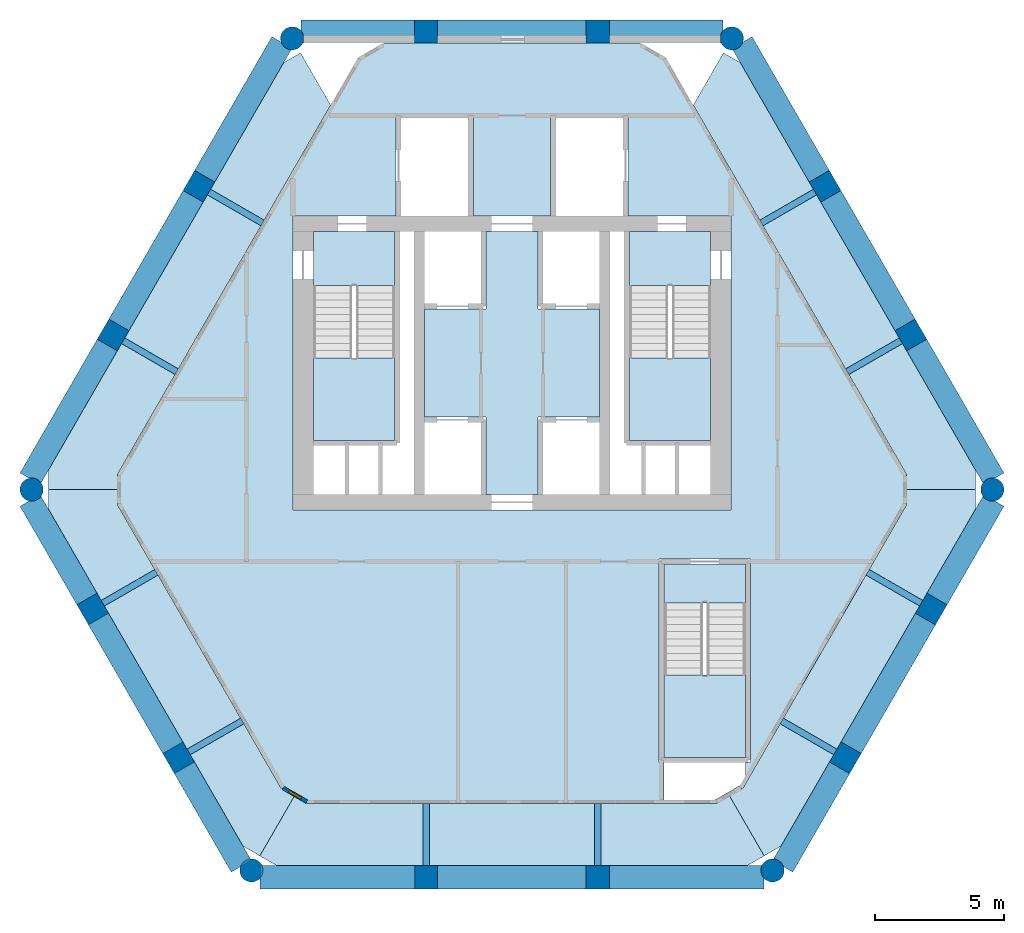
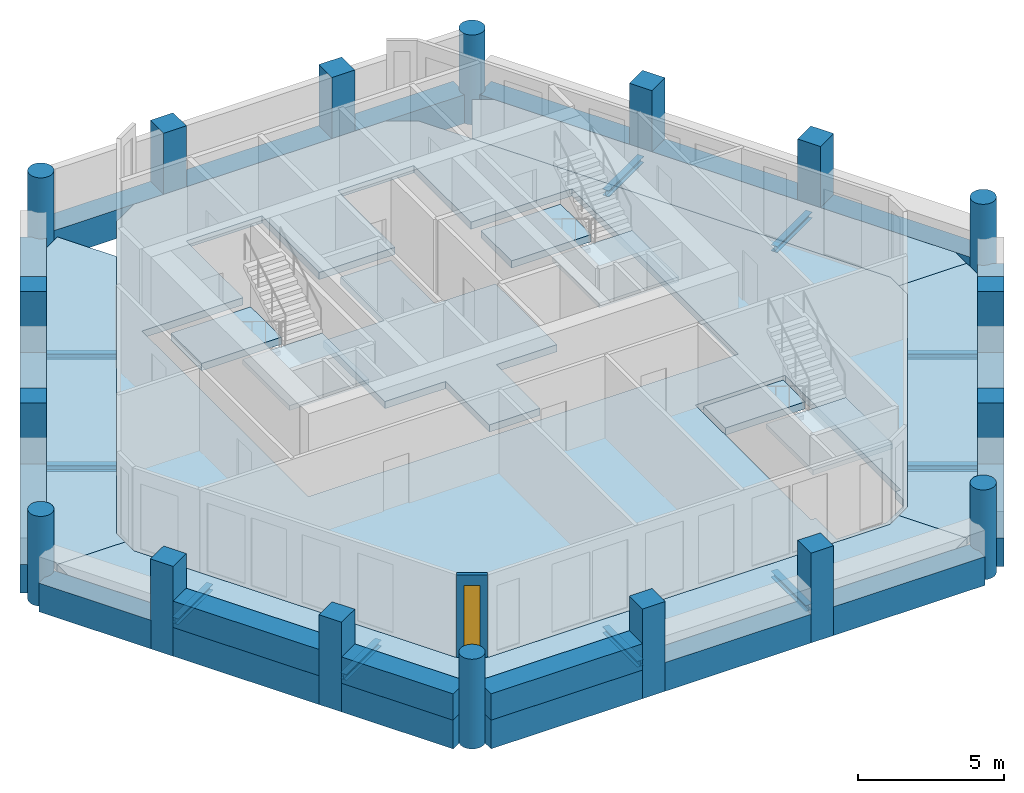
# One storey, part 1 of 6: 28 beams, 18 columns, 13 slabs, 4 walls, 1 window, 1 opening, 3 elements without a shape of their own.
"""IFC4 building model written with IfcOpenShell, lengths in metres."""

from ifc_helpers import new_model, si_unit, direction, frame, frame_2d, origin, origin_2d, place, context, subcontext, project, spatial, polyline, rectangle, circle, i_section, outline, extrude, material, layer, layer_set, material_profile, profile_set, type_object, element, fill, aggregate, save


model = new_model("IFC4")

# Units and contexts
model_context = context("Model", 3, precision=1e-05, world=origin(), true_north=direction((0.0, 1.0)))
body_context = subcontext(model_context, "Body", "Model", "MODEL_VIEW")
ifc_project = project(units=[si_unit("LENGTHUNIT", "METRE"), si_unit("AREAUNIT", "SQUARE_METRE"), si_unit("VOLUMEUNIT", "CUBIC_METRE"), si_unit("PLANEANGLEUNIT", "RADIAN"), si_unit("MASSUNIT", "GRAM", prefix="KILO")], contexts=[model_context])

# Site, building, storey
site_placement = place(None, origin())
site = spatial("IfcSite", under=ifc_project, at=site_placement, CompositionType="ELEMENT")
building_placement = place(site_placement, origin())
building = spatial("IfcBuilding", under=site, at=building_placement, Name="Ostrander Bayou Hotel Tower", CompositionType="ELEMENT")
storey_placement = place(building_placement, frame((0.0, 0.0, 260.0)))
storey = spatial("IfcBuildingStorey", under=building, at=storey_placement, Name="L64", CompositionType="ELEMENT", Elevation=260.0)

# Columns
ifc_material_1 = material(Name="Concrete f'c 60 MPa", Category="concrete")
ifc_material_profile_1 = material_profile(ifc_material_1, circle(Radius=0.449951171875, at=origin_2d()))
ifc_profile_set_1 = profile_set([ifc_material_profile_1], Name="Concrete f'c 60 MPa")
column_type_1 = type_object("IfcColumnType", Name="C7 round column 900 mm f'c 60 MPa", PredefinedType="COLUMN", material=ifc_profile_set_1)
for number, where, z_axis, x_axis, name in (
    (1, (-8.525634765625, 16.588623046875, -1.199951171875), (0.0, 0.0, 1.0), (1.0, 0.0, 0.0), "C7 L64 K0"),
    (2, (-18.629150390625, -0.910888671875, -1.199951171875), (0.0, 0.0, 1.0), (1.0, 0.0, 0.0), "C7 L64 K1"),
    (3, (-10.103515625, -15.677734375, -1.199951171875), (0.0, 0.0, 1.0), (1.0, 0.0, 0.0), "C7 L64 K2"),
    (4, (10.103515625, -15.677734375, -1.199951171875), (0.0, 0.0, 1.0), (1.0, 0.0, 0.0), "C7 L64 K3"),
    (5, (18.629150390625, -0.910888671875, -1.199951171875), (0.0, 0.0, 1.0), (1.0, 0.0, 0.0), "C7 L64 K4"),
    (6, (8.525634765625, 16.588623046875, -1.199951171875), (0.0, 0.0, 1.0), (1.0, 0.0, 0.0), "C7 L64 K5"),
):
    element("IfcColumn", number, at=place(storey_placement, frame(where, z_axis=z_axis, x_axis=x_axis)), inside=storey, type_object=column_type_1, Name=name, PredefinedType="COLUMN", context=body_context, shape_type="SweptSolid", body=[
        extrude(circle(Radius=0.449951171875, at=origin_2d()), origin(), (0.0, 0.0, 1.0), 3.75),
    ])
ifc_material_2 = material(Name="Concrete f'c 60 MPa", Category="concrete")
ifc_material_profile_2 = material_profile(ifc_material_2, rectangle(XDim=0.89990234375, YDim=0.89990234375, at=origin_2d()))
ifc_profile_set_2 = profile_set([ifc_material_profile_2], Name="Concrete f'c 60 MPa")
column_type_2 = type_object("IfcColumnType", Name="C8 square column 900 x 900 mm f'c 60 MPa", PredefinedType="COLUMN", material=ifc_profile_set_2)
for number, where, z_axis, x_axis, name in (
    (7, (3.329345703125, 16.85009765625, -1.199951171875), (0.0, 0.0, 1.0), (1.0, 0.0, 0.0), "C8 L64 N1"),
    (8, (-3.329345703125, 16.85009765625, -1.199951171875), (0.0, 0.0, 1.0), (1.0, 0.0, 0.0), "C8 L64 N2"),
    (9, (-12.138916015625, 10.852783203125, -1.199951171875), (0.0, 0.0, 1.0), (0.5, 0.866025403784, 0.0), "C8 L64 NW1"),
    (10, (-15.46826171875, 5.086181640625, -1.199951171875), (0.0, 0.0, 1.0), (0.5, 0.866025403784, 0.0), "C8 L64 NW2"),
    (11, (-16.257080078125, -5.541748046875, -1.199951171875), (0.0, 0.0, 1.0), (-0.5, 0.866025403784, 0.0), "C8 L64 SW1"),
    (12, (-12.927734375, -11.308349609375, -1.199951171875), (0.0, 0.0, 1.0), (-0.5, 0.866025403784, 0.0), "C8 L64 SW2"),
    (13, (-3.329345703125, -15.93896484375, -1.199951171875), (0.0, 0.0, 1.0), (-1.0, 0.0, 0.0), "C8 L64 S1"),
    (14, (3.329345703125, -15.93896484375, -1.199951171875), (0.0, 0.0, 1.0), (-1.0, 0.0, 0.0), "C8 L64 S2"),
    (15, (12.927734375, -11.308349609375, -1.199951171875), (0.0, 0.0, 1.0), (-0.5, -0.866025403784, 0.0), "C8 L64 SE1"),
    (16, (16.257080078125, -5.541748046875, -1.199951171875), (0.0, 0.0, 1.0), (-0.5, -0.866025403784, 0.0), "C8 L64 SE2"),
    (17, (15.46826171875, 5.086181640625, -1.199951171875), (0.0, 0.0, 1.0), (0.5, -0.866025403784, 0.0), "C8 L64 NE1"),
    (18, (12.138916015625, 10.852783203125, -1.199951171875), (0.0, 0.0, 1.0), (0.5, -0.866025403784, 0.0), "C8 L64 NE2"),
):
    element("IfcColumn", number, at=place(storey_placement, frame(where, z_axis=z_axis, x_axis=x_axis)), inside=storey, type_object=column_type_2, Name=name, PredefinedType="COLUMN", context=body_context, shape_type="SweptSolid", body=[
        extrude(rectangle(XDim=0.89990234375, YDim=0.89990234375, at=origin_2d()), origin(), (0.0, 0.0, 1.0), 3.75),
    ])

# Beams
ifc_material_3 = material(Name="Steel ASTM A992", Category="steel")
ifc_material_profile_3 = material_profile(ifc_material_3, i_section(OverallWidth=0.25390625, OverallDepth=0.25341796875, WebThickness=0.008544921875, FlangeThickness=0.01416015625, at=origin_2d()))
ifc_profile_set_3 = profile_set([ifc_material_profile_3], Name="Steel ASTM A992")
beam_type_1 = type_object("IfcBeamType", Name="LB2 loggia bracket W10x49", PredefinedType="BEAM", material=ifc_profile_set_3)
for number, where, z_axis, x_axis, name in (
    (19, (-11.749267578125, 10.627685546875, -0.4267578125), (0.866050077142, -0.499957262057, 0.0), (0.499957262057, 0.866050077142, 0.0), "LB2 L64 NW1"),
    (20, (-15.07861328125, 4.861083984375, -0.4267578125), (0.866050077142, -0.499957262057, 0.0), (0.499957262057, 0.866050077142, 0.0), "LB2 L64 NW2"),
):
    element("IfcBeam", number, at=place(storey_placement, frame(where, z_axis=z_axis, x_axis=x_axis)), inside=storey, type_object=beam_type_1, Name=name, PredefinedType="BEAM", context=body_context, shape_type="SweptSolid", body=[
        extrude(i_section(OverallWidth=0.25390625, OverallDepth=0.25341796875, WebThickness=0.008544921875, FlangeThickness=0.01416015625, at=origin_2d()), origin(), (0.0, 0.0, 1.0), 2.400146484375),
    ])
for number, where, z_axis, x_axis, name in (
    (21, (-15.867431640625, -5.316650390625, -0.4267578125), (0.866024647952, 0.500001309137, 0.0), (-0.500001309137, 0.866024647952, 0.0), "LB2 L64 SW1"),
    (22, (-12.5380859375, -11.083251953125, -0.4267578125), (0.866024647952, 0.500001309137, 0.0), (-0.500001309137, 0.866024647952, 0.0), "LB2 L64 SW2"),
    (23, (-3.329345703125, -15.489013671875, -0.4267578125), (0.0, 1.0, 0.0), (-1.0, 0.0, 0.0), "LB2 L64 S1"),
    (24, (3.329345703125, -15.489013671875, -0.4267578125), (0.0, 1.0, 0.0), (-1.0, 0.0, 0.0), "LB2 L64 S2"),
    (25, (12.5380859375, -11.083251953125, -0.4267578125), (-0.866024647952, 0.500001309137, 0.0), (-0.500001309137, -0.866024647952, 0.0), "LB2 L64 SE1"),
    (26, (15.867431640625, -5.316650390625, -0.4267578125), (-0.866024647952, 0.500001309137, 0.0), (-0.500001309137, -0.866024647952, 0.0), "LB2 L64 SE2"),
):
    element("IfcBeam", number, at=place(storey_placement, frame(where, z_axis=z_axis, x_axis=x_axis)), inside=storey, type_object=beam_type_1, Name=name, PredefinedType="BEAM", context=body_context, shape_type="SweptSolid", body=[
        extrude(i_section(OverallWidth=0.25390625, OverallDepth=0.25341796875, WebThickness=0.008544921875, FlangeThickness=0.01416015625, at=origin_2d()), origin(), (0.0, 0.0, 1.0), 2.39990234375),
    ])
for number, where, z_axis, x_axis, name in (
    (27, (15.07861328125, 4.861083984375, -0.4267578125), (-0.866050077142, -0.499957262057, 0.0), (0.499957262057, -0.866050077142, 0.0), "LB2 L64 NE1"),
    (28, (11.749267578125, 10.627685546875, -0.4267578125), (-0.866050077142, -0.499957262057, 0.0), (0.499957262057, -0.866050077142, 0.0), "LB2 L64 NE2"),
):
    element("IfcBeam", number, at=place(storey_placement, frame(where, z_axis=z_axis, x_axis=x_axis)), inside=storey, type_object=beam_type_1, Name=name, PredefinedType="BEAM", context=body_context, shape_type="SweptSolid", body=[
        extrude(i_section(OverallWidth=0.25390625, OverallDepth=0.25341796875, WebThickness=0.008544921875, FlangeThickness=0.01416015625, at=origin_2d()), origin(), (0.0, 0.0, 1.0), 2.400146484375),
    ])
ifc_material_4 = material(Name="Concrete f'c 60 MPa", Category="concrete")
ifc_material_profile_4 = material_profile(ifc_material_4, rectangle(XDim=0.89990234375, YDim=1.199951171875, at=origin_2d()))
ifc_profile_set_4 = profile_set([ifc_material_profile_4], Name="Concrete f'c 60 MPa")
beam_type_2 = type_object("IfcBeamType", Name="SP4 spandrel beam 900 x 1200 mm f'c 60 MPa", PredefinedType="SPANDREL", material=ifc_profile_set_4)
beam_1_placement = place(storey_placement, frame((8.189208984375, 16.85009765625, -0.60009765625), z_axis=(-1.0, 0.0, 0.0), x_axis=(0.0, -1.0, 0.0)))
element("IfcBeam", 29, at=beam_1_placement, inside=storey, type_object=beam_type_2, Name="SP4 L64 N-1", PredefinedType="SPANDREL", context=body_context, shape_type="SweptSolid", body=[
    extrude(rectangle(XDim=0.89990234375, YDim=1.199951171875, at=origin_2d()), origin(), (0.0, 0.0, 1.0), 4.439697265625),
])
beam_2_placement = place(storey_placement, frame((2.909423828125, 16.85009765625, -0.60009765625), z_axis=(-1.0, 0.0, 0.0), x_axis=(0.0, -1.0, 0.0)))
element("IfcBeam", 30, at=beam_2_placement, inside=storey, type_object=beam_type_2, Name="SP4 L64 N-2", PredefinedType="SPANDREL", context=body_context, shape_type="SweptSolid", body=[
    extrude(rectangle(XDim=0.89990234375, YDim=1.199951171875, at=origin_2d()), origin(), (0.0, 0.0, 1.0), 5.81884765625),
])
beam_3_placement = place(storey_placement, frame((-3.74951171875, 16.85009765625, -0.60009765625), z_axis=(-1.0, 0.0, 0.0), x_axis=(0.0, -1.0, 0.0)))
element("IfcBeam", 31, at=beam_3_placement, inside=storey, type_object=beam_type_2, Name="SP4 L64 N-3", PredefinedType="SPANDREL", context=body_context, shape_type="SweptSolid", body=[
    extrude(rectangle(XDim=0.89990234375, YDim=1.199951171875, at=origin_2d()), origin(), (0.0, 0.0, 1.0), 4.439697265625),
])
beam_4_placement = place(storey_placement, frame((-8.919921875, 16.427978515625, -0.60009765625), z_axis=(-0.500026811154, -0.866009923804, 0.0), x_axis=(0.866009923804, -0.500026811154, 0.0)))
element("IfcBeam", 32, at=beam_4_placement, inside=storey, type_object=beam_type_2, Name="SP4 L64 NW-1", PredefinedType="SPANDREL", context=body_context, shape_type="SweptSolid", body=[
    extrude(rectangle(XDim=0.89990234375, YDim=1.199951171875, at=origin_2d()), origin(), (0.0, 0.0, 1.0), 6.017822265625),
])
beam_5_placement = place(storey_placement, frame((-12.348876953125, 10.489013671875, -0.60009765625), z_axis=(-0.500015433515, -0.866016493057, 0.0), x_axis=(0.866016493057, -0.500015433515, 0.0)))
element("IfcBeam", 33, at=beam_5_placement, inside=storey, type_object=beam_type_2, Name="SP4 L64 NW-2", PredefinedType="SPANDREL", context=body_context, shape_type="SweptSolid", body=[
    extrude(rectangle(XDim=0.89990234375, YDim=1.199951171875, at=origin_2d()), origin(), (0.0, 0.0, 1.0), 5.818603515625),
])
beam_6_placement = place(storey_placement, frame((-15.67822265625, 4.722412109375, -0.60009765625), z_axis=(-0.499996383721, -0.866027491634, 0.0), x_axis=(0.866027491634, -0.499996383721, 0.0)))
element("IfcBeam", 34, at=beam_6_placement, inside=storey, type_object=beam_type_2, Name="SP4 L64 NW-3", PredefinedType="SPANDREL", context=body_context, shape_type="SweptSolid", body=[
    extrude(rectangle(XDim=0.89990234375, YDim=1.199951171875, at=origin_2d()), origin(), (0.0, 0.0, 1.0), 6.017578125),
])
beam_7_placement = place(storey_placement, frame((-18.68701171875, -1.3330078125, -0.60009765625), z_axis=(0.499971567444, -0.866041818706, 0.0), x_axis=(0.866041818706, 0.499971567444, 0.0)))
element("IfcBeam", 35, at=beam_7_placement, inside=storey, type_object=beam_type_2, Name="SP4 L64 SW-1", PredefinedType="SPANDREL", context=body_context, shape_type="SweptSolid", body=[
    extrude(rectangle(XDim=0.89990234375, YDim=1.199951171875, at=origin_2d()), origin(), (0.0, 0.0, 1.0), 4.439697265625),
])
beam_8_placement = place(storey_placement, frame((-16.047119140625, -5.905517578125, -0.60009765625), z_axis=(0.500015433515, -0.866016493057, 0.0), x_axis=(0.866016493057, 0.500015433515, 0.0)))
element("IfcBeam", 36, at=beam_8_placement, inside=storey, type_object=beam_type_2, Name="SP4 L64 SW-2", PredefinedType="SPANDREL", context=body_context, shape_type="SweptSolid", body=[
    extrude(rectangle(XDim=0.89990234375, YDim=1.199951171875, at=origin_2d()), origin(), (0.0, 0.0, 1.0), 5.818603515625),
])
beam_9_placement = place(storey_placement, frame((-12.7177734375, -11.672119140625, -0.60009765625), z_axis=(0.500012810012, -0.866018007794, 0.0), x_axis=(0.866018007794, 0.500012810012, 0.0)))
element("IfcBeam", 37, at=beam_9_placement, inside=storey, type_object=beam_type_2, Name="SP4 L64 SW-3", PredefinedType="SPANDREL", context=body_context, shape_type="SweptSolid", body=[
    extrude(rectangle(XDim=0.89990234375, YDim=1.199951171875, at=origin_2d()), origin(), (0.0, 0.0, 1.0), 4.43994140625),
])
beam_10_placement = place(storey_placement, frame((-9.76708984375, -15.93896484375, -0.60009765625), z_axis=(1.0, 0.0, 0.0), x_axis=(0.0, 1.0, 0.0)))
element("IfcBeam", 38, at=beam_10_placement, inside=storey, type_object=beam_type_2, Name="SP4 L64 S-1", PredefinedType="SPANDREL", context=body_context, shape_type="SweptSolid", body=[
    extrude(rectangle(XDim=0.89990234375, YDim=1.199951171875, at=origin_2d()), origin(), (0.0, 0.0, 1.0), 6.017578125),
])
beam_11_placement = place(storey_placement, frame((-2.909423828125, -15.93896484375, -0.60009765625), z_axis=(1.0, 0.0, 0.0), x_axis=(0.0, 1.0, 0.0)))
element("IfcBeam", 39, at=beam_11_placement, inside=storey, type_object=beam_type_2, Name="SP4 L64 S-2", PredefinedType="SPANDREL", context=body_context, shape_type="SweptSolid", body=[
    extrude(rectangle(XDim=0.89990234375, YDim=1.199951171875, at=origin_2d()), origin(), (0.0, 0.0, 1.0), 5.81884765625),
])
beam_12_placement = place(storey_placement, frame((3.74951171875, -15.93896484375, -0.60009765625), z_axis=(1.0, 0.0, 0.0), x_axis=(0.0, 1.0, 0.0)))
element("IfcBeam", 40, at=beam_12_placement, inside=storey, type_object=beam_type_2, Name="SP4 L64 S-3", PredefinedType="SPANDREL", context=body_context, shape_type="SweptSolid", body=[
    extrude(rectangle(XDim=0.89990234375, YDim=1.199951171875, at=origin_2d()), origin(), (0.0, 0.0, 1.0), 6.017578125),
])
beam_13_placement = place(storey_placement, frame((10.497802734375, -15.51708984375, -0.60009765625), z_axis=(0.500012810012, 0.866018007794, 0.0), x_axis=(-0.866018007794, 0.500012810012, 0.0)))
element("IfcBeam", 41, at=beam_13_placement, inside=storey, type_object=beam_type_2, Name="SP4 L64 SE-1", PredefinedType="SPANDREL", context=body_context, shape_type="SweptSolid", body=[
    extrude(rectangle(XDim=0.89990234375, YDim=1.199951171875, at=origin_2d()), origin(), (0.0, 0.0, 1.0), 4.43994140625),
])
beam_14_placement = place(storey_placement, frame((13.1376953125, -10.944580078125, -0.60009765625), z_axis=(0.500015433515, 0.866016493057, 0.0), x_axis=(-0.866016493057, 0.500015433515, 0.0)))
element("IfcBeam", 42, at=beam_14_placement, inside=storey, type_object=beam_type_2, Name="SP4 L64 SE-2", PredefinedType="SPANDREL", context=body_context, shape_type="SweptSolid", body=[
    extrude(rectangle(XDim=0.89990234375, YDim=1.199951171875, at=origin_2d()), origin(), (0.0, 0.0, 1.0), 5.818603515625),
])
beam_15_placement = place(storey_placement, frame((16.46728515625, -5.177978515625, -0.60009765625), z_axis=(0.499971567444, 0.866041818706, 0.0), x_axis=(-0.866041818706, 0.499971567444, 0.0)))
element("IfcBeam", 43, at=beam_15_placement, inside=storey, type_object=beam_type_2, Name="SP4 L64 SE-3", PredefinedType="SPANDREL", context=body_context, shape_type="SweptSolid", body=[
    extrude(rectangle(XDim=0.89990234375, YDim=1.199951171875, at=origin_2d()), origin(), (0.0, 0.0, 1.0), 4.439697265625),
])
beam_16_placement = place(storey_placement, frame((18.68701171875, -0.489013671875, -0.60009765625), z_axis=(-0.499996383721, 0.866027491634, 0.0), x_axis=(-0.866027491634, -0.499996383721, 0.0)))
element("IfcBeam", 44, at=beam_16_placement, inside=storey, type_object=beam_type_2, Name="SP4 L64 NE-1", PredefinedType="SPANDREL", context=body_context, shape_type="SweptSolid", body=[
    extrude(rectangle(XDim=0.89990234375, YDim=1.199951171875, at=origin_2d()), origin(), (0.0, 0.0, 1.0), 6.017578125),
])
beam_17_placement = place(storey_placement, frame((15.25830078125, 5.449951171875, -0.60009765625), z_axis=(-0.500015433515, 0.866016493057, 0.0), x_axis=(-0.866016493057, -0.500015433515, 0.0)))
element("IfcBeam", 45, at=beam_17_placement, inside=storey, type_object=beam_type_2, Name="SP4 L64 NE-2", PredefinedType="SPANDREL", context=body_context, shape_type="SweptSolid", body=[
    extrude(rectangle(XDim=0.89990234375, YDim=1.199951171875, at=origin_2d()), origin(), (0.0, 0.0, 1.0), 5.818603515625),
])
beam_18_placement = place(storey_placement, frame((11.928955078125, 11.216552734375, -0.60009765625), z_axis=(-0.500026811154, 0.866009923804, 0.0), x_axis=(-0.866009923804, -0.500026811154, 0.0)))
element("IfcBeam", 46, at=beam_18_placement, inside=storey, type_object=beam_type_2, Name="SP4 L64 NE-3", PredefinedType="SPANDREL", context=body_context, shape_type="SweptSolid", body=[
    extrude(rectangle(XDim=0.89990234375, YDim=1.199951171875, at=origin_2d()), origin(), (0.0, 0.0, 1.0), 6.017822265625),
])

# Slabs
ifc_material_5 = material(Name="Concrete f'c 40 MPa", Category="concrete")
ifc_layer_1 = layer(ifc_material_5, 0.300048828125)
ifc_layer_set_1 = layer_set([ifc_layer_1], Name="SL1 floor slab 300 mm f'c 40 MPa")
slab_type_1 = type_object("IfcSlabType", Name="SL1 floor slab 300 mm f'c 40 MPa", PredefinedType="FLOOR", material=ifc_layer_set_1)
slab_1_placement = place(storey_placement, frame((0.0, 0.0, -0.300048828125)))
element("IfcSlab", 47, at=slab_1_placement, inside=storey, type_object=slab_type_1, Name="SL1 L64 1", PredefinedType="FLOOR", context=body_context, shape_type="SweptSolid", body=[
    extrude(outline(polyline([(-2.909423828125, 16.39990234375), (2.909423828125, 16.39990234375), (3.74951171875, 16.39990234375), (4.952392578125, 16.39990234375), (5.99169921875, 15.800048828125), (15.29345703125, -0.31103515625), (15.29345703125, -1.510986328125), (8.955322265625, -12.489013671875), (7.916015625, -13.089111328125), (-7.916015625, -13.089111328125), (-8.955322265625, -12.489013671875), (-15.29345703125, -1.510986328125), (-15.29345703125, -0.31103515625), (-5.99169921875, 15.800048828125), (-4.952392578125, 16.39990234375), (-3.74951171875, 16.39990234375), (-2.909423828125, 16.39990234375)]), holes=[polyline([(9.050048828125, -12.02490234375), (9.050048828125, -11.5), (9.25, -11.5), (9.25, -3.60009765625), (5.699951171875, -3.60009765625), (5.699951171875, -11.5), (5.89990234375, -11.5), (5.89990234375, -12.93896484375), (7.8759765625, -12.93896484375), (8.845458984375, -12.379150390625), (9.050048828125, -12.02490234375)]), polyline([(-8.5, -1.699951171875), (8.5, -1.699951171875), (8.5, 9.699951171875), (4.5, 9.699951171875), (4.5, 13.60009765625), (1.5, 13.60009765625), (1.5, 9.699951171875), (-1.5, 9.699951171875), (-1.5, 13.60009765625), (-4.5, 13.60009765625), (-4.5, 9.699951171875), (-8.5, 9.699951171875), (-8.5, -1.699951171875)])]), origin(), (0.0, 0.0, 1.0), 0.300048828125),
])
slab_2_placement = place(storey_placement, frame((0.0, 0.0, -0.300048828125)))
element("IfcSlab", 48, at=slab_2_placement, inside=storey, type_object=slab_type_1, Name="cslab:L64:001", PredefinedType="FLOOR", context=body_context, shape_type="SweptSolid", body=[
    extrude(outline(polyline([(-3.39990234375, 6.10009765625), (-1.0, 6.10009765625), (-1.0, 9.10009765625), (1.0, 9.10009765625), (1.0, 6.10009765625), (3.39990234375, 6.10009765625), (3.39990234375, 1.89990234375), (1.0, 1.89990234375), (1.0, -1.10009765625), (-1.0, -1.10009765625), (-1.0, 1.89990234375), (-3.39990234375, 1.89990234375), (-3.39990234375, 6.10009765625)])), origin(), (0.0, 0.0, 1.0), 0.300048828125),
])
slab_3_placement = place(storey_placement, frame((0.0, 0.0, -0.300048828125)))
element("IfcSlab", 49, at=slab_3_placement, inside=storey, type_object=slab_type_1, Name="cslab:L64:002", PredefinedType="FLOOR", context=body_context, shape_type="SweptSolid", body=[
    extrude(outline(polyline([(-4.550048828125, 7.0), (-4.550048828125, 9.10009765625), (-7.699951171875, 9.10009765625), (-7.699951171875, 7.0), (-4.550048828125, 7.0)])), origin(), (0.0, 0.0, 1.0), 0.300048828125),
])
slab_4_placement = place(storey_placement, frame((0.0, 0.0, -0.300048828125)))
element("IfcSlab", 50, at=slab_4_placement, inside=storey, type_object=slab_type_1, Name="cslab:L64:003", PredefinedType="FLOOR", context=body_context, shape_type="SweptSolid", body=[
    extrude(outline(polyline([(7.699951171875, 7.0), (7.699951171875, 9.10009765625), (4.550048828125, 9.10009765625), (4.550048828125, 7.0), (7.699951171875, 7.0)])), origin(), (0.0, 0.0, 1.0), 0.300048828125),
])
slab_5_placement = place(storey_placement, frame((0.0, 0.0, -0.300048828125)))
element("IfcSlab", 51, at=slab_5_placement, inside=storey, type_object=slab_type_1, Name="cslab:L64:004", PredefinedType="FLOOR", context=body_context, shape_type="SweptSolid", body=[
    extrude(outline(polyline([(9.050048828125, -5.300048828125), (9.050048828125, -3.800048828125), (5.89990234375, -3.800048828125), (5.89990234375, -5.300048828125), (9.050048828125, -5.300048828125)])), origin(), (0.0, 0.0, 1.0), 0.300048828125),
])
ifc_material_6 = material(Name="Concrete f'c 40 MPa", Category="concrete")
ifc_layer_2 = layer(ifc_material_6, 0.300048828125)
ifc_layer_set_2 = layer_set([ifc_layer_2], Name="SL4 loggia slab 300 mm f'c 40 MPa")
slab_type_2 = type_object("IfcSlabType", Name="SL4 loggia slab 300 mm f'c 40 MPa", PredefinedType="FLOOR", material=ifc_layer_set_2)
slab_6_placement = place(storey_placement, frame((0.0, 0.0, -0.300048828125)))
element("IfcSlab", 52, at=slab_6_placement, inside=storey, type_object=slab_type_2, Name="SL4 LOGGIA L64 NW 1", PredefinedType="FLOOR", context=body_context, shape_type="SweptSolid", body=[
    extrude(outline(polyline([(-17.97802734375, -0.910888671875), (-17.97802734375, -0.160888671875), (-10.10205078125, 13.48095703125), (-9.174072265625, 15.088134765625), (-8.849609375, 15.64990234375), (-8.2001953125, 16.02490234375), (-7.031005859375, 14.0), (-15.29345703125, -0.31103515625), (-15.29345703125, -0.910888671875), (-17.97802734375, -0.910888671875)])), origin(), (0.0, 0.0, 1.0), 0.300048828125),
])
slab_7_placement = place(storey_placement, frame((0.0, 0.0, -0.300048828125)))
element("IfcSlab", 53, at=slab_7_placement, inside=storey, type_object=slab_type_2, Name="SL4 LOGGIA L64 SW 1", PredefinedType="FLOOR", context=body_context, shape_type="SweptSolid", body=[
    extrude(outline(polyline([(-8.435791015625, -12.7890625), (-9.778076171875, -15.114013671875), (-10.427490234375, -14.739013671875), (-16.077392578125, -4.952880859375), (-17.97802734375, -1.660888671875), (-17.97802734375, -0.910888671875), (-15.29345703125, -0.910888671875), (-15.29345703125, -1.510986328125), (-8.955322265625, -12.489013671875), (-8.435791015625, -12.7890625)])), origin(), (0.0, 0.0, 1.0), 0.300048828125),
])
slab_8_placement = place(storey_placement, frame((0.0, 0.0, -0.300048828125)))
element("IfcSlab", 54, at=slab_8_placement, inside=storey, type_object=slab_type_2, Name="SL4 LOGGIA L64 S 1", PredefinedType="FLOOR", context=body_context, shape_type="SweptSolid", body=[
    extrude(outline(polyline([(8.435791015625, -12.7890625), (9.778076171875, -15.114013671875), (9.12841796875, -15.489013671875), (-9.12841796875, -15.489013671875), (-9.778076171875, -15.114013671875), (-8.435791015625, -12.7890625), (-7.916015625, -13.089111328125), (7.916015625, -13.089111328125), (8.435791015625, -12.7890625)])), origin(), (0.0, 0.0, 1.0), 0.300048828125),
])
slab_9_placement = place(storey_placement, frame((0.0, 0.0, -0.300048828125)))
element("IfcSlab", 55, at=slab_9_placement, inside=storey, type_object=slab_type_2, Name="SL4 LOGGIA L64 SE 1", PredefinedType="FLOOR", context=body_context, shape_type="SweptSolid", body=[
    extrude(outline(polyline([(15.29345703125, -0.910888671875), (17.97802734375, -0.910888671875), (17.97802734375, -1.660888671875), (16.077392578125, -4.952880859375), (15.657470703125, -5.680419921875), (12.748046875, -10.719482421875), (12.328125, -11.447021484375), (10.427490234375, -14.739013671875), (9.778076171875, -15.114013671875), (8.435791015625, -12.7890625), (8.955322265625, -12.489013671875), (15.29345703125, -1.510986328125), (15.29345703125, -0.910888671875)])), origin(), (0.0, 0.0, 1.0), 0.300048828125),
])
slab_10_placement = place(storey_placement, frame((0.0, 0.0, -0.300048828125)))
element("IfcSlab", 56, at=slab_10_placement, inside=storey, type_object=slab_type_2, Name="SL4 LOGGIA L64 NE 1", PredefinedType="FLOOR", context=body_context, shape_type="SweptSolid", body=[
    extrude(outline(polyline([(8.2001953125, 16.02490234375), (8.849609375, 15.64990234375), (17.97802734375, -0.160888671875), (17.97802734375, -0.910888671875), (15.29345703125, -0.910888671875), (15.29345703125, -0.31103515625), (7.031005859375, 14.0), (8.2001953125, 16.02490234375)])), origin(), (0.0, 0.0, 1.0), 0.300048828125),
])

# Stair, slab
ifc_material_7 = material(Name="Concrete f'c 45 MPa", Category="concrete")
stair_type = type_object("IfcStairType", Name="ST1 exit stair 1500 mm f'c 45 MPa", PredefinedType="HALF_TURN_STAIR", material=ifc_material_7)
stair_1_placement = place(storey_placement, origin())
stair_1 = element("IfcStair", 57, at=stair_1_placement, inside=storey, type_object=stair_type, Name="L64 exit stair A", PredefinedType="HALF_TURN_STAIR")
ifc_material_8 = material(Name="Concrete f'c 45 MPa", Category="concrete")
ifc_layer_3 = layer(ifc_material_8, 0.199951171875)
ifc_layer_set_3 = layer_set([ifc_layer_3], Name="SL8 stair landing 200 mm f'c 45 MPa")
slab_type_3 = type_object("IfcSlabType", Name="SL8 stair landing 200 mm f'c 45 MPa", PredefinedType="LANDING", material=ifc_layer_set_3)
slab_11_placement = place(storey_placement, frame((0.0, 0.0, 1.675048828125)))
slab_11 = element("IfcSlab", 58, at=slab_11_placement, type_object=slab_type_3, Name="STA landing 1", PredefinedType="LANDING", context=body_context, shape_type="SweptSolid", body=[
    extrude(outline(polyline([(-7.699951171875, 4.199951171875), (-7.699951171875, 1.0), (-4.550048828125, 1.0), (-4.550048828125, 4.199951171875), (-7.699951171875, 4.199951171875)])), origin(), (0.0, 0.0, 1.0), 0.199951171875),
])
aggregate(stair_1, [slab_11])

stair_2_placement = place(storey_placement, origin())
stair_2 = element("IfcStair", 59, at=stair_2_placement, inside=storey, type_object=stair_type, Name="L64 exit stair B", PredefinedType="HALF_TURN_STAIR")
slab_12_placement = place(storey_placement, frame((0.0, 0.0, 1.675048828125)))
slab_12 = element("IfcSlab", 60, at=slab_12_placement, type_object=slab_type_3, Name="STB landing 1", PredefinedType="LANDING", context=body_context, shape_type="SweptSolid", body=[
    extrude(outline(polyline([(4.550048828125, 4.199951171875), (4.550048828125, 1.0), (7.699951171875, 1.0), (7.699951171875, 4.199951171875), (4.550048828125, 4.199951171875)])), origin(), (0.0, 0.0, 1.0), 0.199951171875),
])
aggregate(stair_2, [slab_12])

stair_3_placement = place(storey_placement, origin())
stair_3 = element("IfcStair", 61, at=stair_3_placement, inside=storey, type_object=stair_type, Name="L64 exit stair C", PredefinedType="HALF_TURN_STAIR")
slab_13_placement = place(storey_placement, frame((0.0, 0.0, 1.675048828125)))
slab_13 = element("IfcSlab", 62, at=slab_13_placement, type_object=slab_type_3, Name="STC landing 1", PredefinedType="LANDING", context=body_context, shape_type="SweptSolid", body=[
    extrude(outline(polyline([(5.89990234375, -8.10009765625), (5.89990234375, -11.300048828125), (9.050048828125, -11.300048828125), (9.050048828125, -8.10009765625), (5.89990234375, -8.10009765625)])), origin(), (0.0, 0.0, 1.0), 0.199951171875),
])
aggregate(stair_3, [slab_13])

# Wall, opening, window
ifc_material_9 = material(Name="Aluminium framed insulated wall", Category="aluminium")
ifc_layer_4 = layer(ifc_material_9, 0.14990234375)
ifc_layer_set_4 = layer_set([ifc_layer_4], Name="GW1 glass-line wall 150 mm")
wall_type_1 = type_object("IfcWallType", Name="GW1 glass-line wall 150 mm", PredefinedType="SOLIDWALL", material=ifc_layer_set_4)
wall_1_placement = place(storey_placement, frame((-8.873046875, -12.4814453125, 0.0), z_axis=(0.0, 0.0, 1.0), x_axis=(0.866048165231, -0.499960573946, 0.0)))
wall_1 = element("IfcWall", 63, at=wall_1_placement, inside=storey, type_object=wall_type_1, Name="GW1 L64 corner 3", PredefinedType="SOLIDWALL", context=body_context, shape_type="SweptSolid", body=[
    extrude(rectangle(XDim=1.06494140625, YDim=0.14990234375, at=frame_2d((0.532470703125, 0.0))), origin(), (0.0, 0.0, 1.0), 3.449951171875),
])
opening_placement = place(wall_1_placement, frame((0.257568359375, 0.0, 0.14990234375)))
opening = element("IfcOpeningElement", 64, at=opening_placement, cuts=wall_1, Name="Opening W19", PredefinedType="OPENING", context=body_context, shape_type="SweptSolid", body=[
    extrude(rectangle(XDim=0.550048828125, YDim=2.85009765625, at=frame_2d((0.27490234375, 1.425048828125))), frame((0.0, 0.074951171875, 0.0), z_axis=(0.0, -1.0, 0.0), x_axis=(1.0, 0.0, 0.0)), (0.0, 0.0, 1.0), 0.14990234375),
])
ifc_material_10 = material(Name="Aluminium and clear glass", Category="aluminium")
window_type = type_object("IfcWindowType", Name="W19 corner window 550 mm", PartitioningType="SINGLE_PANEL", PredefinedType="WINDOW", material=ifc_material_10)
window_placement = place(opening_placement, origin())
window = element("IfcWindow", 65, at=window_placement, inside=storey, type_object=window_type, Name="W19 L64 corner 3", OverallHeight=2.85009765625, OverallWidth=0.550048828125, PartitioningType="SINGLE_PANEL", PredefinedType="WINDOW", context=body_context, shape_type="SweptSolid", body=[
    extrude(rectangle(XDim=0.550048828125, YDim=2.85009765625, at=frame_2d((0.27490234375, 1.425048828125))), frame((0.0, 0.030029296875, 0.0), z_axis=(0.0, -1.0, 0.0), x_axis=(1.0, 0.0, 0.0)), (0.0, 0.0, 1.0), 0.06005859375),
])
fill(opening, window)

# Walls
ifc_material_11 = material(Name="Concrete f'c 40 MPa", Category="concrete")
ifc_layer_5 = layer(ifc_material_11, 0.89990234375)
ifc_layer_set_5 = layer_set([ifc_layer_5], Name="PA1 stone-faced parapet 900 mm")
wall_type_2 = type_object("IfcWallType", Name="PA1 stone-faced parapet 900 mm", PredefinedType="PARAPET", material=ifc_layer_set_5)
wall_2_placement = place(storey_placement, frame((-9.76708984375, -15.93896484375, 0.0), z_axis=(0.0, 0.0, 1.0), x_axis=(1.0, 0.0, 0.0)))
element("IfcWall", 66, at=wall_2_placement, inside=storey, type_object=wall_type_2, Name="PA1 L64 S-1", PredefinedType="PARAPET", context=body_context, shape_type="SweptSolid", body=[
    extrude(rectangle(XDim=6.017578125, YDim=0.89990234375, at=frame_2d((3.0087890625, 0.0))), origin(), (0.0, 0.0, 1.0), 1.10009765625),
])
ifc_material_12 = material(Name="Limestone masonry", Category="masonry")
ifc_layer_6 = layer(ifc_material_12, 0.89990234375)
ifc_layer_set_6 = layer_set([ifc_layer_6], Name="PA2 limestone parapet 900 mm")
wall_type_3 = type_object("IfcWallType", Name="PA2 limestone parapet 900 mm", PredefinedType="PARAPET", material=ifc_layer_set_6)
wall_3_placement = place(storey_placement, frame((-16.047119140625, -5.905517578125, 0.0), z_axis=(0.0, 0.0, 1.0), x_axis=(0.500015433515, -0.866016493057, 0.0)))
element("IfcWall", 67, at=wall_3_placement, inside=storey, type_object=wall_type_3, Name="PA2 L64 SW-2", PredefinedType="PARAPET", context=body_context, shape_type="SweptSolid", body=[
    extrude(rectangle(XDim=5.818603515625, YDim=0.89990234375, at=frame_2d((2.9091796875, 0.0))), origin(), (0.0, 0.0, 1.0), 1.10009765625),
])
wall_4_placement = place(storey_placement, frame((-12.7177734375, -11.672119140625, 0.0), z_axis=(0.0, 0.0, 1.0), x_axis=(0.500012810012, -0.866018007794, 0.0)))
element("IfcWall", 68, at=wall_4_placement, inside=storey, type_object=wall_type_3, Name="PA2 L64 SW-3", PredefinedType="PARAPET", context=body_context, shape_type="SweptSolid", body=[
    extrude(rectangle(XDim=4.43994140625, YDim=0.89990234375, at=frame_2d((2.219970703125, 0.0))), origin(), (0.0, 0.0, 1.0), 1.10009765625),
])

save(model, "model.ifc")
